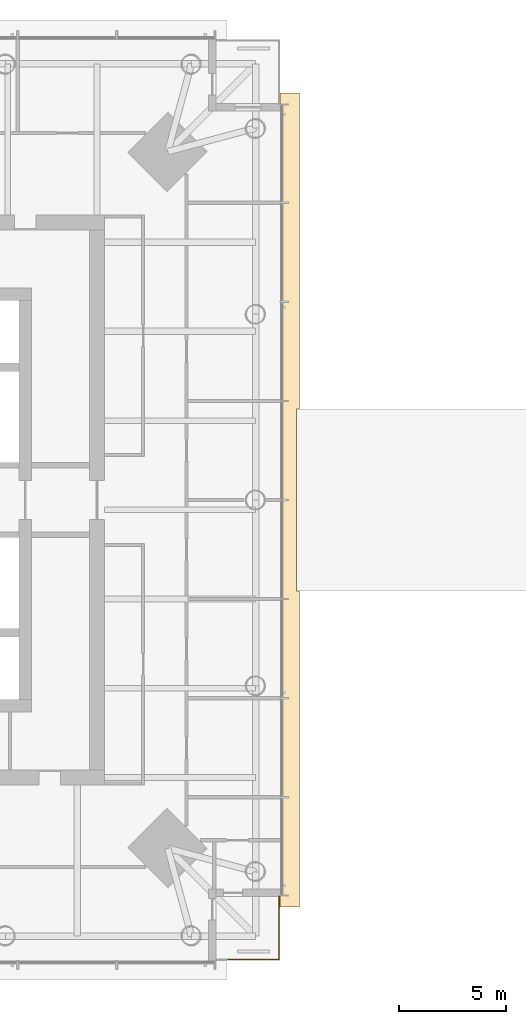
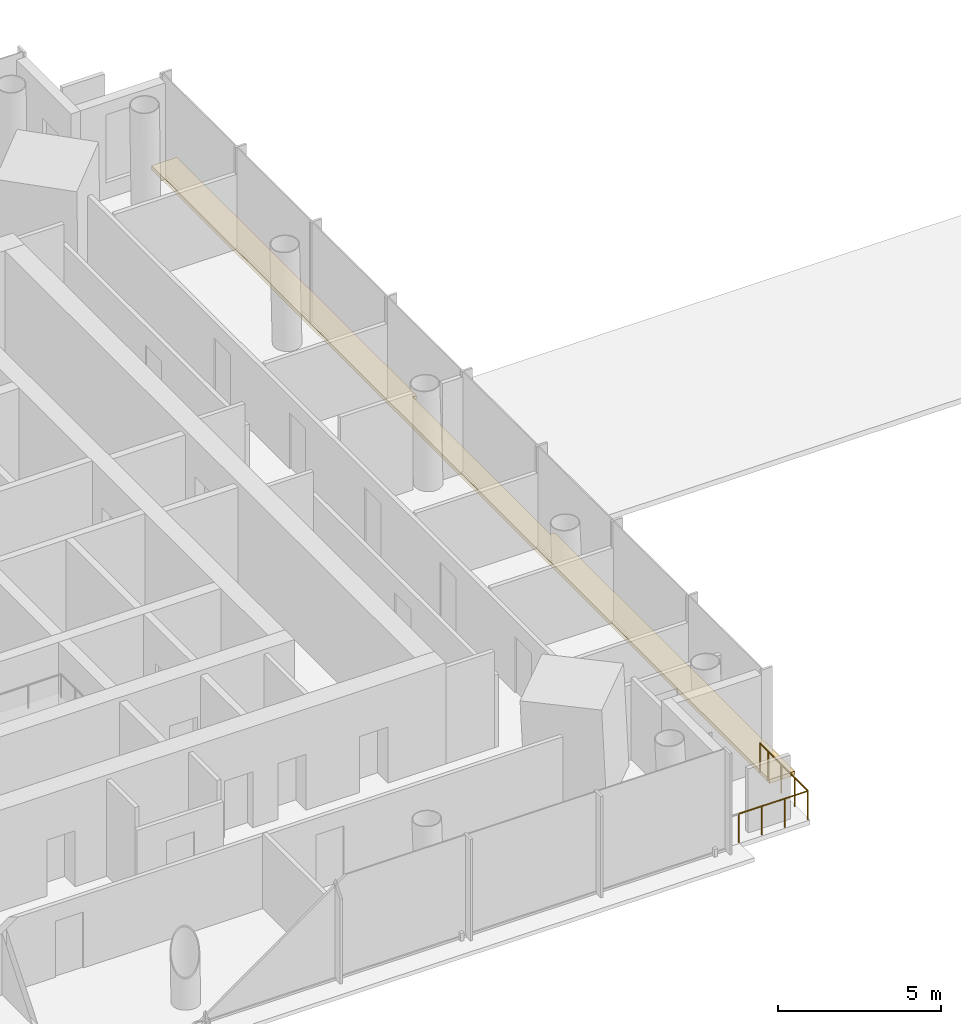
# One storey, part 15 of 16: 2 railings, 1 covering.
"""IFC4 building model written with IfcOpenShell, lengths in metres."""

from ifc_helpers import new_model, si_unit, direction, frame, origin, origin_2d, place, context, subcontext, project, spatial, polyline, circle, outline, extrude, material, layer, layer_set, type_object, element, save


model = new_model("IFC4")

# Units and contexts
model_context = context("Model", 3, precision=1e-05, world=origin(), true_north=direction((0.0, 1.0)))
body_context = subcontext(model_context, "Body", "Model", "MODEL_VIEW")
ifc_project = project(units=[si_unit("LENGTHUNIT", "METRE"), si_unit("AREAUNIT", "SQUARE_METRE"), si_unit("VOLUMEUNIT", "CUBIC_METRE"), si_unit("PLANEANGLEUNIT", "RADIAN"), si_unit("MASSUNIT", "GRAM", prefix="KILO")], contexts=[model_context])

# Site, building, storey
site_placement = place(None, origin())
site = spatial("IfcSite", under=ifc_project, at=site_placement, CompositionType="ELEMENT")
building_placement = place(site_placement, origin())
building = spatial("IfcBuilding", under=site, at=building_placement, Name="Ostroluk Exchange", CompositionType="ELEMENT")
storey_placement = place(building_placement, frame((0.0, 0.0, 135.0)))
storey = spatial("IfcBuildingStorey", under=building, at=storey_placement, Name="L34", CompositionType="ELEMENT", Elevation=135.0)

# Railings
ifc_material_1 = material(Name="Stainless steel", Category="steel")
railing_type_1 = type_object("IfcRailingType", Name="Guard 1100 stainless steel", PredefinedType="GUARDRAIL", material=ifc_material_1)
railing_1_placement = place(storey_placement, frame((64.0, 24.550048828125, 0.0)))
element("IfcRailing", 1, at=railing_1_placement, inside=storey, type_object=railing_type_1, Name="Office tower SE balcony guard L34", PredefinedType="GUARDRAIL", context=body_context, shape_type="SweptSolid", body=[
    extrude(circle(Radius=0.02392578125, at=origin_2d()), frame((0.0, 0.0, 1.076171875), z_axis=(1.0, 0.0, 0.0), x_axis=(0.0, 1.0, 0.0)), (0.0, 0.0, 1.0), 2.449951171875),
    extrude(circle(Radius=0.02392578125, at=origin_2d()), frame((2.449951171875, 0.0, 1.076171875), z_axis=(0.0, 1.0, 0.0), x_axis=(-1.0, 0.0, 0.0)), (0.0, 0.0, 1.0), 2.449951171875),
    extrude(circle(Radius=0.02099609375, at=origin_2d()), origin(), (0.0, 0.0, 1.0), 1.052001953125),
    extrude(circle(Radius=0.02099609375, at=origin_2d()), frame((0.816650390625, 0.0, 0.0)), (0.0, 0.0, 1.0), 1.052001953125),
    extrude(circle(Radius=0.02099609375, at=origin_2d()), frame((1.63330078125, 0.0, 0.0)), (0.0, 0.0, 1.0), 1.052001953125),
    extrude(circle(Radius=0.02099609375, at=origin_2d()), frame((2.449951171875, 0.0, 0.0)), (0.0, 0.0, 1.0), 1.052001953125),
    extrude(circle(Radius=0.02099609375, at=origin_2d()), frame((2.449951171875, 0.816650390625, 0.0)), (0.0, 0.0, 1.0), 1.052001953125),
    extrude(circle(Radius=0.02099609375, at=origin_2d()), frame((2.449951171875, 1.63330078125, 0.0)), (0.0, 0.0, 1.0), 1.052001953125),
    extrude(circle(Radius=0.02099609375, at=origin_2d()), frame((2.449951171875, 2.449951171875, 0.0)), (0.0, 0.0, 1.0), 1.052001953125),
])
ifc_material_2 = material(Name="Stainless steel", Category="steel")
railing_type_2 = type_object("IfcRailingType", Name="Lockable maintenance gate 1100", PredefinedType="GUARDRAIL", material=ifc_material_2)
railing_2_placement = place(storey_placement, frame((66.449951171875, 27.0, 0.0)))
element("IfcRailing", 2, at=railing_2_placement, inside=storey, type_object=railing_type_2, Name="Lockable maintenance gate T1 L34 SE", PredefinedType="GUARDRAIL", context=body_context, shape_type="SweptSolid", body=[
    extrude(circle(Radius=0.02392578125, at=origin_2d()), frame((0.0, 0.0, 1.076171875), z_axis=(0.0, 1.0, 0.0), x_axis=(-1.0, 0.0, 0.0)), (0.0, 0.0, 1.0), 0.5),
    extrude(circle(Radius=0.02099609375, at=origin_2d()), origin(), (0.0, 0.0, 1.0), 1.052001953125),
    extrude(circle(Radius=0.02099609375, at=origin_2d()), frame((0.0, 0.5, 0.0)), (0.0, 0.0, 1.0), 1.052001953125),
])

# Covering
ifc_material_3 = material(Name="Insulated steel roof deck with membrane, laid to falls, aluminium coping", Category="steel")
ifc_layer = layer(ifc_material_3, 0.14990234375)
ifc_layer_set = layer_set([ifc_layer], Name="Setback maintenance roof")
covering_type = type_object("IfcCoveringType", Name="Setback maintenance roof", PredefinedType="ROOFING", material=ifc_layer_set)
covering_placement = place(storey_placement, frame((0.0, 0.0, -0.14990234375)))
element("IfcCovering", 3, at=covering_placement, inside=storey, type_object=covering_type, Name="Maintenance roof, setback L34 east", PredefinedType="ROOFING", context=body_context, shape_type="SweptSolid", body=[
    extrude(outline(polyline([(66.5, 65.0), (67.39990234375, 65.0), (67.39990234375, 50.25), (67.25, 50.25), (67.25, 41.75), (67.39990234375, 41.75), (67.39990234375, 27.0), (66.5, 27.0), (66.5, 65.0)])), origin(), (0.0, 0.0, 1.0), 0.14990234375),
])

save(model, "model.ifc")
